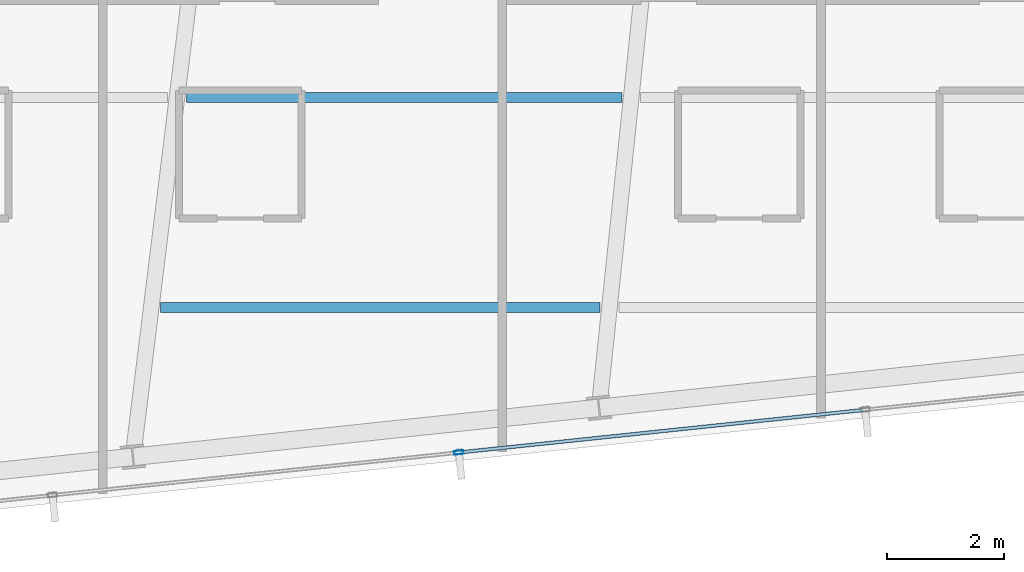
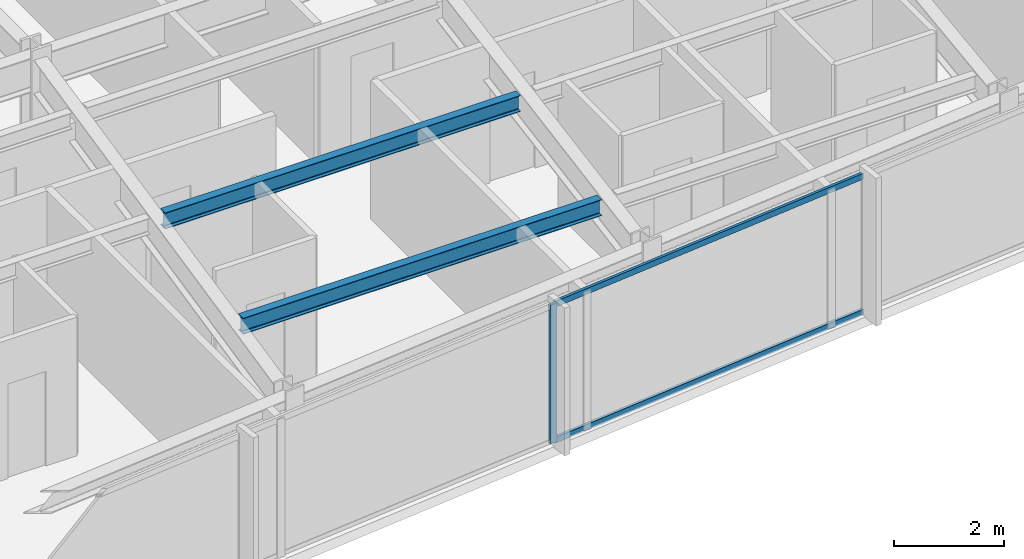
# One storey, part 7 of 33: 3 members, 2 beams, 1 element without a shape of its own.
"""IFC4 building model written with IfcOpenShell, lengths in metres."""

from ifc_helpers import new_model, si_unit, direction, frame, origin, origin_2d, place, context, subcontext, project, spatial, hollow_rectangle, i_section, extrude, material, material_profile, profile_set, type_object, element, aggregate, save


model = new_model("IFC4")

# Units and contexts
model_context = context("Model", 3, precision=1e-05, world=origin(), true_north=direction((0.0, 1.0)))
body_context = subcontext(model_context, "Body", "Model", "MODEL_VIEW")
ifc_project = project(units=[si_unit("LENGTHUNIT", "METRE"), si_unit("AREAUNIT", "SQUARE_METRE"), si_unit("VOLUMEUNIT", "CUBIC_METRE"), si_unit("PLANEANGLEUNIT", "RADIAN"), si_unit("MASSUNIT", "GRAM", prefix="KILO")], contexts=[model_context])

# Site, building, storey
site_placement = place(None, origin())
site = spatial("IfcSite", under=ifc_project, at=site_placement, CompositionType="ELEMENT")
building_placement = place(site_placement, origin())
building = spatial("IfcBuilding", under=site, at=building_placement, Name="Yelkora Congress Tower", CompositionType="ELEMENT")
storey_placement = place(building_placement, frame((0.0, 0.0, 230.89990234375)))
storey = spatial("IfcBuildingStorey", under=building, at=storey_placement, Name="L64", CompositionType="ELEMENT", Elevation=230.89990234375)

# Beams
ifc_material_1 = material(Name="Steel S355J2", Category="steel")
ifc_material_profile_1 = material_profile(ifc_material_1, i_section(OverallWidth=0.169921875, OverallDepth=0.360107421875, WebThickness=0.008056640625, FlangeThickness=0.0126953125, FilletRadius=0.01806640625, at=origin_2d()), Name="IPE 360")
ifc_profile_set_1 = profile_set([ifc_material_profile_1], Name="Steel S355J2")
beam_type = type_object("IfcBeamType", Name="BM-JOIST-IPE360", PredefinedType="JOIST", material=ifc_profile_set_1)
beam_1_placement = place(storey_placement, frame((29.76220703125, 16.07861328125, 2.900146484375), z_axis=(1.0, 0.0, 0.0), x_axis=(0.0, 1.0, 0.0)))
element("IfcBeam", 1, at=beam_1_placement, inside=storey, type_object=beam_type, Name="L64 Composite Floor Joist 1", PredefinedType="JOIST", context=body_context, shape_type="SweptSolid", body=[
    extrude(i_section(OverallWidth=0.169921875, OverallDepth=0.360107421875, WebThickness=0.008056640625, FlangeThickness=0.0126953125, FilletRadius=0.01806640625, at=origin_2d()), origin(), (0.0, 0.0, 1.0), 7.53369140625),
])
beam_2_placement = place(storey_placement, frame((30.203369140625, 19.678466796875, 2.900146484375), z_axis=(1.0, 0.0, 0.0), x_axis=(0.0, 1.0, 0.0)))
element("IfcBeam", 2, at=beam_2_placement, inside=storey, type_object=beam_type, Name="L64 Composite Floor Joist 4", PredefinedType="JOIST", context=body_context, shape_type="SweptSolid", body=[
    extrude(i_section(OverallWidth=0.169921875, OverallDepth=0.360107421875, WebThickness=0.008056640625, FlangeThickness=0.0126953125, FilletRadius=0.01806640625, at=origin_2d()), origin(), (0.0, 0.0, 1.0), 7.465087890625),
])

# Curtain wall, members
ifc_material_2 = material(Name="Anodised aluminium and insulated glass", Category="aluminium")
curtain_wall_type = type_object("IfcCurtainWallType", Name="CW-SYS-B4", PredefinedType="NOTDEFINED", material=ifc_material_2)
curtain_wall_placement = place(storey_placement, origin())
curtain_wall = element("IfcCurtainWall", 3, at=curtain_wall_placement, inside=storey, type_object=curtain_wall_type, Name="L64 Unitised Curtain Wall 20", PredefinedType="NOTDEFINED")
ifc_material_3 = material(Name="Anodised aluminium 6063-T6", Category="aluminium")
ifc_material_profile_2 = material_profile(ifc_material_3, hollow_rectangle(XDim=0.06494140625, YDim=0.159912109375, WallThickness=0.00390625, at=origin_2d()), Name="ALU 65x160x4")
ifc_profile_set_2 = profile_set([ifc_material_profile_2], Name="Anodised aluminium 6063-T6")
member_type_1 = type_object("IfcMemberType", Name="MEM-ML-B4", PredefinedType="MULLION", material=ifc_profile_set_2)
member_1_placement = place(storey_placement, frame((34.87353515625, 13.592529296875, 0.0), z_axis=(0.0, 0.0, 1.0), x_axis=(0.104526664994, -0.994522084373, 0.0)))
member_1 = element("IfcMember", 4, at=member_1_placement, type_object=member_type_1, Name="CW-B4 mullion 6", PredefinedType="MULLION", context=body_context, shape_type="SweptSolid", body=[
    extrude(hollow_rectangle(XDim=0.06494140625, YDim=0.159912109375, WallThickness=0.00390625, at=origin_2d()), origin(), (0.0, 0.0, 1.0), 3.080078125),
])
ifc_material_profile_3 = material_profile(ifc_material_3, hollow_rectangle(XDim=0.06005859375, YDim=0.1298828125, WallThickness=0.00390625, at=origin_2d()), Name="ALU 60x130x4")
ifc_profile_set_3 = profile_set([ifc_material_profile_3], Name="Anodised aluminium 6063-T6")
member_type_2 = type_object("IfcMemberType", Name="MEM-TR-B4", PredefinedType="USERDEFINED", material=ifc_profile_set_3)
member_2_placement = place(storey_placement, frame((41.8056640625, 14.321044921875, 0.030029296875), z_axis=(-0.99452317859, -0.104516253509, 0.0), x_axis=(0.104516253509, -0.99452317859, 0.0)))
member_2 = element("IfcMember", 5, at=member_2_placement, type_object=member_type_2, Name="CW-B4 transom 5.1", ObjectType="TRANSOM", PredefinedType="USERDEFINED", context=body_context, shape_type="SweptSolid", body=[
    extrude(hollow_rectangle(XDim=0.06005859375, YDim=0.1298828125, WallThickness=0.00390625, at=origin_2d()), origin(), (0.0, 0.0, 1.0), 6.937744140625),
])
member_3_placement = place(storey_placement, frame((41.8056640625, 14.321044921875, 3.050048828125), z_axis=(-0.99452317859, -0.104516253509, 0.0), x_axis=(0.104516253509, -0.99452317859, 0.0)))
member_3 = element("IfcMember", 6, at=member_3_placement, type_object=member_type_2, Name="CW-B4 transom 5.2", ObjectType="TRANSOM", PredefinedType="USERDEFINED", context=body_context, shape_type="SweptSolid", body=[
    extrude(hollow_rectangle(XDim=0.06005859375, YDim=0.1298828125, WallThickness=0.00390625, at=origin_2d()), origin(), (0.0, 0.0, 1.0), 6.937744140625),
])
aggregate(curtain_wall, [member_1, member_2, member_3])

save(model, "model.ifc")
